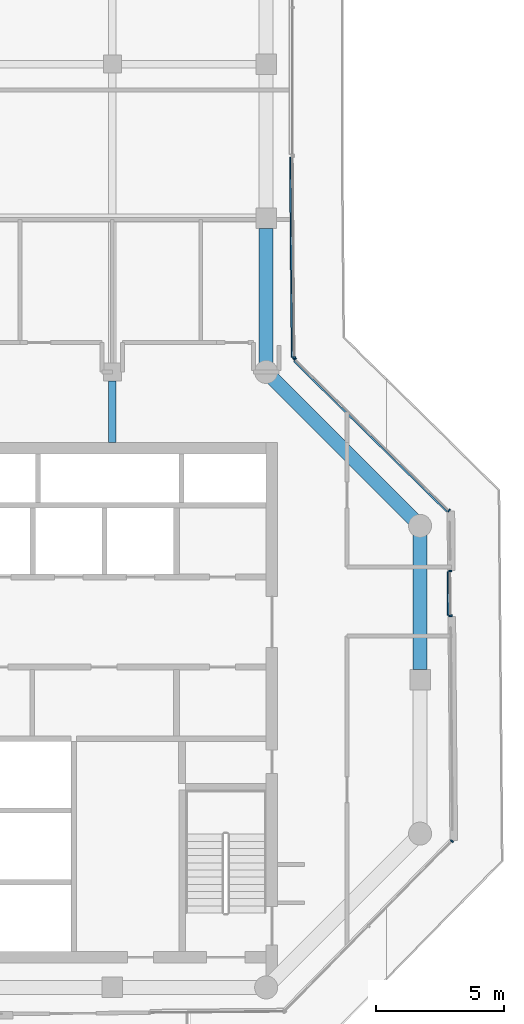
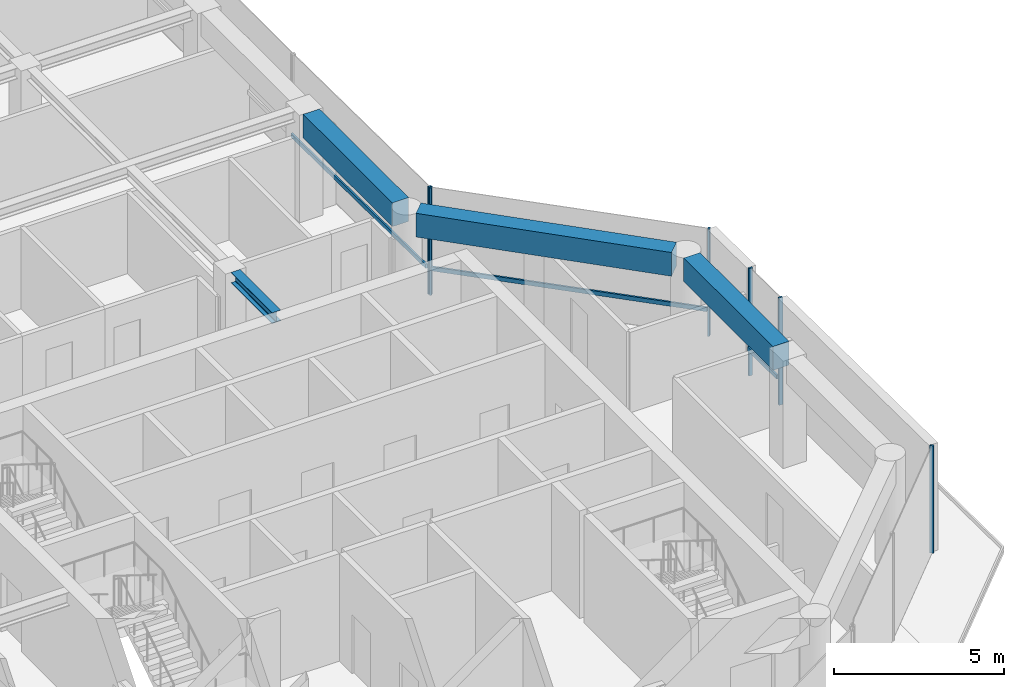
# One storey, part 5 of 19: 9 members, 4 beams, 4 elements without a shape of their own.
"""IFC4 building model written with IfcOpenShell, lengths in metres."""

from ifc_helpers import new_model, si_unit, direction, frame, origin, origin_2d, place, context, subcontext, project, spatial, rectangle, i_section, extrude, material, layer, layer_set, material_profile, profile_set, type_object, element, aggregate, save


model = new_model("IFC4")

# Units and contexts
model_context = context("Model", 3, precision=1e-05, world=origin(), true_north=direction((0.0, 1.0)))
body_context = subcontext(model_context, "Body", "Model", "MODEL_VIEW")
ifc_project = project(units=[si_unit("LENGTHUNIT", "METRE"), si_unit("AREAUNIT", "SQUARE_METRE"), si_unit("VOLUMEUNIT", "CUBIC_METRE"), si_unit("PLANEANGLEUNIT", "RADIAN"), si_unit("MASSUNIT", "GRAM", prefix="KILO")], contexts=[model_context])

# Site, building, storey
site_placement = place(None, origin())
site = spatial("IfcSite", under=ifc_project, at=site_placement, CompositionType="ELEMENT")
building_placement = place(site_placement, origin())
building = spatial("IfcBuilding", under=site, at=building_placement, Name="Welwitschia Terrace Campus", CompositionType="ELEMENT")
storey_placement = place(building_placement, frame((0.0, 0.0, 226.39990234375)))
storey = spatial("IfcBuildingStorey", under=building, at=storey_placement, Name="L50", CompositionType="ELEMENT", Elevation=226.39990234375)

# Beam
ifc_material_1 = material(Name="Steel S355", Category="steel")
ifc_material_profile_1 = material_profile(ifc_material_1, i_section(OverallWidth=0.300048828125, OverallDepth=0.389892578125, WebThickness=0.010986328125, FlangeThickness=0.01904296875, FilletRadius=0.027099609375, at=origin_2d()))
ifc_profile_set_1 = profile_set([ifc_material_profile_1], Name="Steel S355")
beam_type_1 = type_object("IfcBeamType", Name="Interior girder HE 400 A", PredefinedType="BEAM", material=ifc_profile_set_1)
beam_1_placement = place(storey_placement, frame((18.0, 25.2509765625, 3.655029296875), z_axis=(0.0, 1.0, 0.0), x_axis=(-1.0, 0.0, 0.0)))
element("IfcBeam", 1, at=beam_1_placement, inside=storey, type_object=beam_type_1, Name="Girder GB5", PredefinedType="BEAM", context=body_context, shape_type="SweptSolid", body=[
    extrude(i_section(OverallWidth=0.300048828125, OverallDepth=0.389892578125, WebThickness=0.010986328125, FlangeThickness=0.01904296875, FilletRadius=0.027099609375, at=origin_2d()), origin(), (0.0, 0.0, 1.0), 2.3984375),
])

# Curtain wall, member
ifc_material_2 = material(Name="Bronze anodised aluminium", Category="aluminium")
ifc_layer = layer(ifc_material_2, 0.1201171875)
ifc_layer_set = layer_set([ifc_layer], Name="Bronze anodised aluminium")
curtain_wall_type = type_object("IfcCurtainWallType", Name="Curtain wall CW2 tower 6000", PredefinedType="NOTDEFINED", material=ifc_layer_set)
curtain_wall_1_placement = place(storey_placement, origin())
curtain_wall_1 = element("IfcCurtainWall", 2, at=curtain_wall_1_placement, inside=storey, type_object=curtain_wall_type, Name="CW L50.5.0", PredefinedType="NOTDEFINED")
ifc_material_3 = material(Name="Bronze anodised aluminium", Category="aluminium")
ifc_material_profile_2 = material_profile(ifc_material_3, rectangle(XDim=0.1201171875, YDim=0.06005859375, at=origin_2d()))
ifc_profile_set_2 = profile_set([ifc_material_profile_2], Name="Bronze anodised aluminium")
member_type_1 = type_object("IfcMemberType", Name="Mullion 60x120", PredefinedType="MULLION", material=ifc_profile_set_2)
member_1_placement = place(storey_placement, frame((31.242431640625, 9.701904296875, 0.0), z_axis=(0.0, 0.0, 1.0), x_axis=(-0.713250449154, 0.7009092643, 0.0)))
member_1 = element("IfcMember", 3, at=member_1_placement, type_object=member_type_1, Name="Mullion L50.5.0.2", PredefinedType="MULLION", context=body_context, shape_type="SweptSolid", body=[
    extrude(rectangle(XDim=0.1201171875, YDim=0.06005859375, at=origin_2d()), origin(), (0.0, 0.0, 1.0), 3.85009765625),
])
aggregate(curtain_wall_1, [member_1])

# Curtain wall, members
curtain_wall_2_placement = place(storey_placement, origin())
curtain_wall_2 = element("IfcCurtainWall", 4, at=curtain_wall_2_placement, inside=storey, type_object=curtain_wall_type, Name="CW L50.6.S0", PredefinedType="NOTDEFINED")
member_2_placement = place(storey_placement, frame((31.186767578125, 18.492919921875, 0.0), z_axis=(0.0, 0.0, 1.0), x_axis=(-0.999961923064, -0.008726535498, 0.0)))
member_2 = element("IfcMember", 5, at=member_2_placement, type_object=member_type_1, Name="Mullion L50.6.S0.0", PredefinedType="MULLION", context=body_context, shape_type="SweptSolid", body=[
    extrude(rectangle(XDim=0.1201171875, YDim=0.06005859375, at=origin_2d()), origin(), (0.0, 0.0, 1.0), 3.85009765625),
])
member_3_placement = place(storey_placement, frame((31.171630859375, 20.23291015625, 0.0), z_axis=(0.0, 0.0, 1.0), x_axis=(-0.999961923064, -0.008726535498, 0.0)))
member_3 = element("IfcMember", 6, at=member_3_placement, type_object=member_type_1, Name="Mullion L50.6.S0.1", PredefinedType="MULLION", context=body_context, shape_type="SweptSolid", body=[
    extrude(rectangle(XDim=0.1201171875, YDim=0.06005859375, at=origin_2d()), origin(), (0.0, 0.0, 1.0), 3.85009765625),
])

curtain_wall_3_placement = place(storey_placement, origin())
curtain_wall_3 = element("IfcCurtainWall", 7, at=curtain_wall_3_placement, inside=storey, type_object=curtain_wall_type, Name="CW L50.7.0", PredefinedType="NOTDEFINED")
member_4_placement = place(storey_placement, frame((31.1298828125, 22.59716796875, 0.0), z_axis=(0.0, 0.0, 1.0), x_axis=(-0.7009092643, -0.713250449154, 0.0)))
member_4 = element("IfcMember", 8, at=member_4_placement, type_object=member_type_1, Name="Mullion L50.7.0.0", PredefinedType="MULLION", context=body_context, shape_type="SweptSolid", body=[
    extrude(rectangle(XDim=0.1201171875, YDim=0.06005859375, at=origin_2d()), origin(), (0.0, 0.0, 1.0), 3.85009765625),
])
member_5_placement = place(storey_placement, frame((25.120361328125, 28.50244140625, 0.0), z_axis=(0.0, 0.0, 1.0), x_axis=(-0.7009092643, -0.713250449154, 0.0)))
member_5 = element("IfcMember", 9, at=member_5_placement, type_object=member_type_1, Name="Mullion L50.7.0.1", PredefinedType="MULLION", context=body_context, shape_type="SweptSolid", body=[
    extrude(rectangle(XDim=0.1201171875, YDim=0.06005859375, at=origin_2d()), origin(), (0.0, 0.0, 1.0), 3.85009765625),
])

# Curtain wall, member
curtain_wall_4_placement = place(storey_placement, origin())
curtain_wall_4 = element("IfcCurtainWall", 10, at=curtain_wall_4_placement, inside=storey, type_object=curtain_wall_type, Name="CW L50.8.0", PredefinedType="NOTDEFINED")
member_6_placement = place(storey_placement, frame((25.098876953125, 28.553466796875, 0.0), z_axis=(0.0, 0.0, 1.0), x_axis=(-0.999961923064, -0.008726535498, 0.0)))
member_6 = element("IfcMember", 11, at=member_6_placement, type_object=member_type_1, Name="Mullion L50.8.0.0", PredefinedType="MULLION", context=body_context, shape_type="SweptSolid", body=[
    extrude(rectangle(XDim=0.1201171875, YDim=0.06005859375, at=origin_2d()), origin(), (0.0, 0.0, 1.0), 3.85009765625),
])

# Beams
ifc_material_4 = material(Name="Concrete C50/60", Category="concrete")
ifc_material_profile_3 = material_profile(ifc_material_4, rectangle(XDim=0.550048828125, YDim=0.85009765625, at=origin_2d()))
ifc_profile_set_3 = profile_set([ifc_material_profile_3], Name="Concrete C50/60")
beam_type_2 = type_object("IfcBeamType", Name="Ring spandrel 550x850", PredefinedType="SPANDREL", material=ifc_profile_set_3)
beam_2_placement = place(storey_placement, frame((30.0, 16.400390625, 3.425048828125), z_axis=(0.0, 1.0, 0.0), x_axis=(-1.0, 0.0, 0.0)))
element("IfcBeam", 12, at=beam_2_placement, inside=storey, type_object=beam_type_2, Name="Spandrel SP3", PredefinedType="SPANDREL", context=body_context, shape_type="SweptSolid", body=[
    extrude(rectangle(XDim=0.550048828125, YDim=0.85009765625, at=origin_2d()), origin(), (0.0, 0.0, 1.0), 5.24267578125),
])
beam_3_placement = place(storey_placement, frame((29.74755859375, 22.25244140625, 3.425048828125), z_axis=(-0.707106781187, 0.707106781187, 0.0), x_axis=(-0.707106781187, -0.707106781187, 0.0)))
element("IfcBeam", 13, at=beam_3_placement, inside=storey, type_object=beam_type_2, Name="Spandrel SP3", PredefinedType="SPANDREL", context=body_context, shape_type="SweptSolid", body=[
    extrude(rectangle(XDim=0.550048828125, YDim=0.85009765625, at=origin_2d()), origin(), (0.0, 0.0, 1.0), 7.771240234375),
])
beam_4_placement = place(storey_placement, frame((24.0, 28.35693359375, 3.425048828125), z_axis=(0.0, 1.0, 0.0), x_axis=(-1.0, 0.0, 0.0)))
element("IfcBeam", 14, at=beam_4_placement, inside=storey, type_object=beam_type_2, Name="Spandrel SP3", PredefinedType="SPANDREL", context=body_context, shape_type="SweptSolid", body=[
    extrude(rectangle(XDim=0.550048828125, YDim=0.85009765625, at=origin_2d()), origin(), (0.0, 0.0, 1.0), 5.24267578125),
])

# Member
ifc_material_5 = material(Name="Bronze anodised aluminium", Category="aluminium")
ifc_material_profile_4 = material_profile(ifc_material_5, rectangle(XDim=0.06005859375, YDim=0.14990234375, at=origin_2d()))
ifc_profile_set_4 = profile_set([ifc_material_profile_4], Name="Bronze anodised aluminium")
member_type_2 = type_object("IfcMemberType", Name="Transom 60x150", PredefinedType="USERDEFINED", material=ifc_profile_set_4)
member_7_placement = place(storey_placement, frame((31.0966796875, 18.52197265625, 1.0), z_axis=(-0.008864642233, 0.999960708287, 0.0), x_axis=(-0.999960708287, -0.008864642233, 0.0)))
member_7 = element("IfcMember", 15, at=member_7_placement, type_object=member_type_2, Name="Transom L50.6.S0", ObjectType="TRANSOM", PredefinedType="USERDEFINED", context=body_context, shape_type="SweptSolid", body=[
    extrude(rectangle(XDim=0.06005859375, YDim=0.14990234375, at=origin_2d()), origin(), (0.0, 0.0, 1.0), 1.679931640625),
])

aggregate(curtain_wall_2, [member_2, member_3, member_7])

member_8_placement = place(storey_placement, frame((31.04541015625, 22.553955078125, 1.0), z_axis=(-0.71325246864, 0.70090720925, 0.0), x_axis=(-0.70090720925, -0.71325246864, 0.0)))
member_8 = element("IfcMember", 16, at=member_8_placement, type_object=member_type_2, Name="Transom L50.7.0", ObjectType="TRANSOM", PredefinedType="USERDEFINED", context=body_context, shape_type="SweptSolid", body=[
    extrude(rectangle(XDim=0.06005859375, YDim=0.14990234375, at=origin_2d()), origin(), (0.0, 0.0, 1.0), 8.365234375),
])

aggregate(curtain_wall_3, [member_4, member_5, member_8])

member_9_placement = place(storey_placement, frame((25.008544921875, 28.582763671875, 1.0), z_axis=(-0.008740541446, 0.999961800738, 0.0), x_axis=(-0.999961800738, -0.008740541446, 0.0)))
member_9 = element("IfcMember", 17, at=member_9_placement, type_object=member_type_2, Name="Transom L50.8.0", ObjectType="TRANSOM", PredefinedType="USERDEFINED", context=body_context, shape_type="SweptSolid", body=[
    extrude(rectangle(XDim=0.06005859375, YDim=0.14990234375, at=origin_2d()), origin(), (0.0, 0.0, 1.0), 7.79296875),
])

aggregate(curtain_wall_4, [member_6, member_9])

save(model, "model.ifc")
